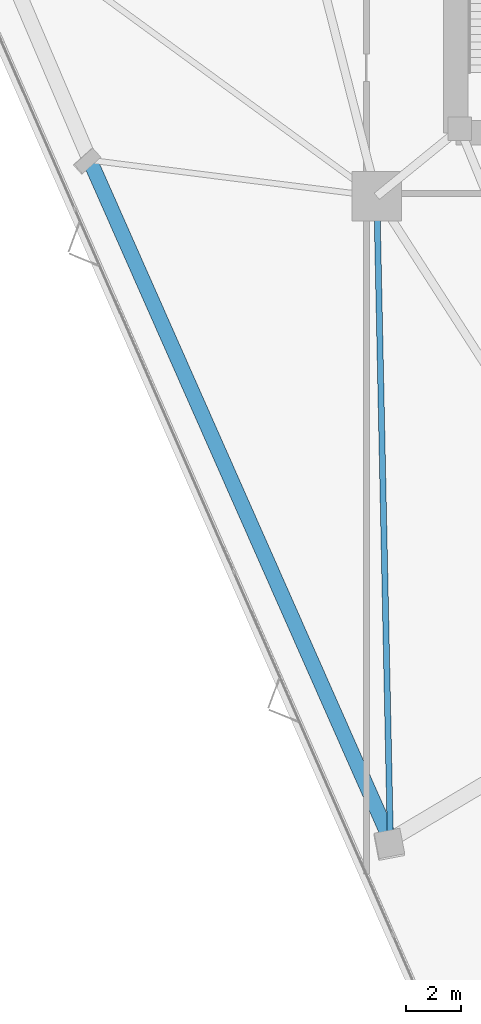
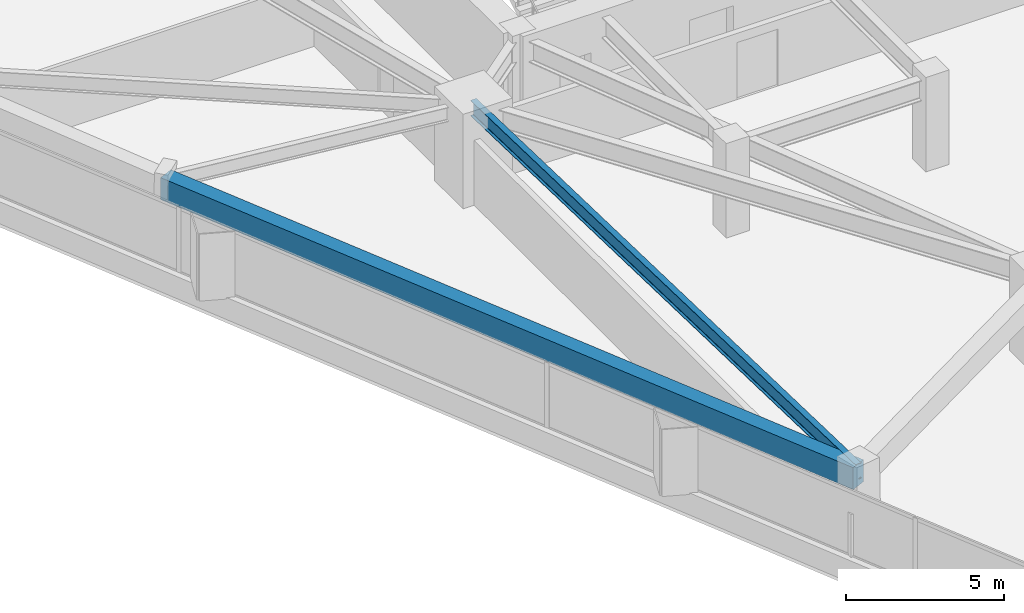
# One storey, part 3 of 20: 2 beams.
"""IFC4 building model written with IfcOpenShell, lengths in metres."""

from ifc_helpers import new_model, si_unit, direction, frame, origin, origin_2d, place, context, subcontext, project, spatial, rectangle, i_section, extrude, material, material_profile, profile_set, type_object, element, save


model = new_model("IFC4")

# Units and contexts
model_context = context("Model", 3, precision=1e-05, world=origin(), true_north=direction((0.0, 1.0)))
body_context = subcontext(model_context, "Body", "Model", "MODEL_VIEW")
ifc_project = project(units=[si_unit("LENGTHUNIT", "METRE"), si_unit("AREAUNIT", "SQUARE_METRE"), si_unit("VOLUMEUNIT", "CUBIC_METRE"), si_unit("PLANEANGLEUNIT", "RADIAN"), si_unit("MASSUNIT", "GRAM", prefix="KILO")], contexts=[model_context])

# Site, building, storey
site_placement = place(None, origin())
site = spatial("IfcSite", under=ifc_project, at=site_placement, CompositionType="ELEMENT")
building_placement = place(site_placement, origin())
building = spatial("IfcBuilding", under=site, at=building_placement, Name="Talyreon Biosciences Tower", CompositionType="ELEMENT")
storey_placement = place(building_placement, frame((0.0, 0.0, 41.050048828125)))
storey = spatial("IfcBuildingStorey", under=building, at=storey_placement, Name="L10", CompositionType="ELEMENT", Elevation=41.050048828125)

# Beams
ifc_material_1 = material(Name="Precast concrete C45/55", Category="concrete")
ifc_material_profile_1 = material_profile(ifc_material_1, rectangle(XDim=0.550048828125, YDim=0.85009765625, at=origin_2d()), Name="RCB 550x850")
ifc_profile_set_1 = profile_set([ifc_material_profile_1], Name="Precast concrete C45/55")
beam_type_1 = type_object("IfcBeamType", Name="ExpressedSpandrel_550x850", PredefinedType="SPANDREL", material=ifc_profile_set_1)
beam_1_placement = place(storey_placement, frame((44.423583984375, 60.20068359375, 2.949951171875), z_axis=(0.404508039006, -0.914534442424, 0.0), x_axis=(0.914534442424, 0.404508039006, 0.0)))
element("IfcBeam", 1, at=beam_1_placement, inside=storey, type_object=beam_type_1, Name="L10 Expressed Horizontal Concrete Spandrel 11", PredefinedType="SPANDREL", context=body_context, shape_type="SweptSolid", body=[
    extrude(rectangle(XDim=0.550048828125, YDim=0.85009765625, at=origin_2d()), origin(), (0.0, 0.0, 1.0), 27.158447265625),
])
ifc_material_2 = material(Name="Steel SM355", Category="steel")
ifc_material_profile_2 = material_profile(ifc_material_2, i_section(OverallWidth=0.219970703125, OverallDepth=0.60009765625, WebThickness=0.011962890625, FlangeThickness=0.01904296875, FilletRadius=0.02392578125, at=origin_2d()), Name="IPE600")
ifc_profile_set_2 = profile_set([ifc_material_profile_2], Name="Steel SM355")
beam_type_2 = type_object("IfcBeamType", Name="SteelJoist_IPE600", PredefinedType="JOIST", material=ifc_profile_set_2)
beam_2_placement = place(storey_placement, frame((54.913818359375, 58.88037109375, 3.074951171875), z_axis=(0.021069590385, -0.999778011541, 0.0), x_axis=(0.999778011541, 0.021069590385, 0.0)))
element("IfcBeam", 2, at=beam_2_placement, inside=storey, type_object=beam_type_2, Name="L10 Radial Composite Floor Joist PC-SW2", PredefinedType="JOIST", context=body_context, shape_type="SweptSolid", body=[
    extrude(i_section(OverallWidth=0.219970703125, OverallDepth=0.60009765625, WebThickness=0.011962890625, FlangeThickness=0.01904296875, FilletRadius=0.02392578125, at=origin_2d()), origin(), (0.0, 0.0, 1.0), 23.522216796875),
])

save(model, "model.ifc")
